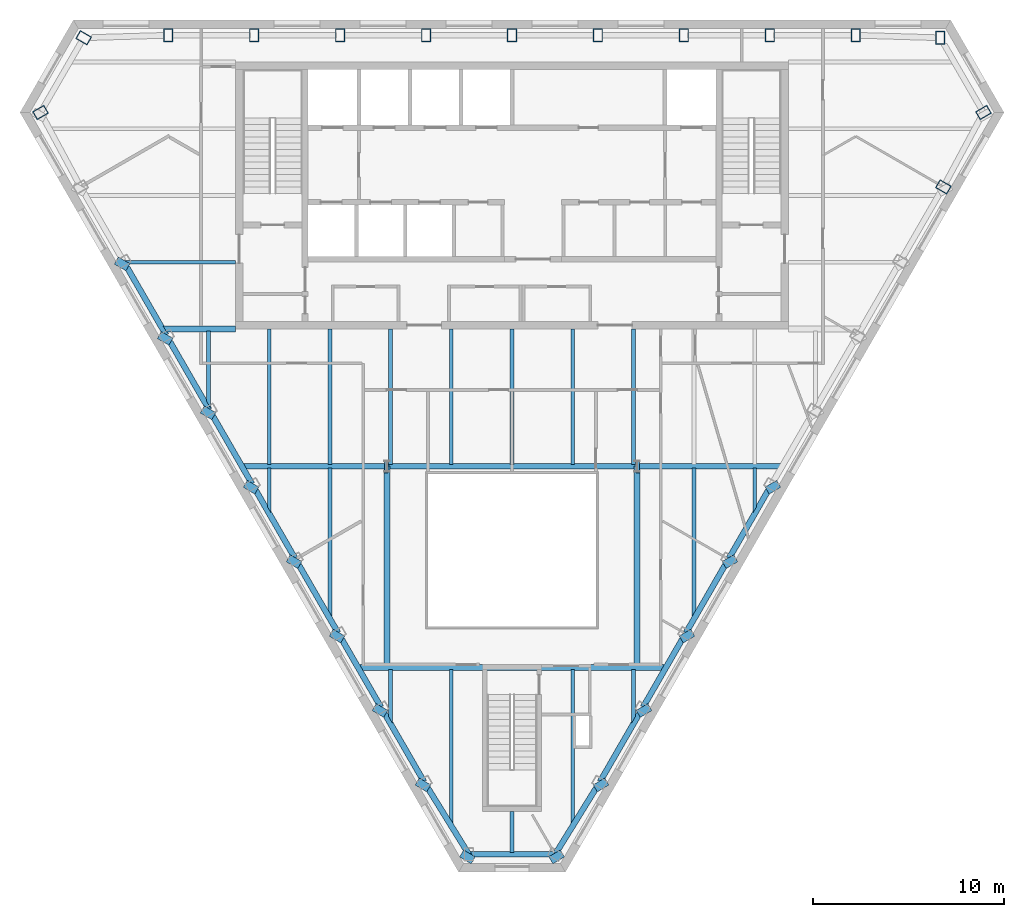
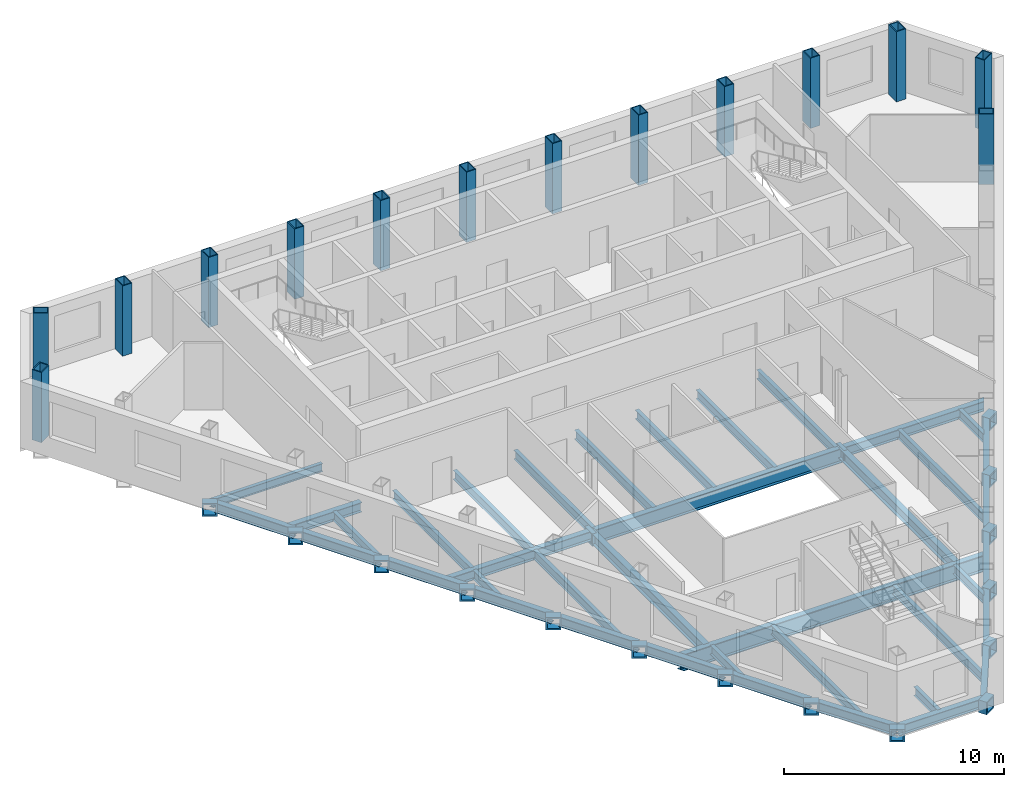
# One storey, part 2 of 10: 56 beams, 14 columns.
"""IFC4 building model written with IfcOpenShell, lengths in metres."""

from ifc_helpers import new_model, si_unit, direction, frame, origin, origin_2d, place, context, subcontext, project, spatial, hollow_rectangle, i_section, extrude, clip, halfspace, material, material_profile, profile_set, type_object, element, save


model = new_model("IFC4")

# Units and contexts
model_context = context("Model", 3, precision=1e-05, world=origin(), true_north=direction((0.0, 1.0)))
body_context = subcontext(model_context, "Body", "Model", "MODEL_VIEW")
ifc_project = project(units=[si_unit("LENGTHUNIT", "METRE"), si_unit("AREAUNIT", "SQUARE_METRE"), si_unit("VOLUMEUNIT", "CUBIC_METRE"), si_unit("PLANEANGLEUNIT", "RADIAN"), si_unit("MASSUNIT", "GRAM", prefix="KILO")], contexts=[model_context])

# Site, building, storey
site_placement = place(None, origin())
site = spatial("IfcSite", under=ifc_project, at=site_placement, CompositionType="ELEMENT")
building_placement = place(site_placement, origin())
building = spatial("IfcBuilding", under=site, at=building_placement, Name="Njiva Tower", CompositionType="ELEMENT")
storey_placement = place(building_placement, frame((0.0, 0.0, 268.8)))
storey = spatial("IfcBuildingStorey", under=building, at=storey_placement, Name="L61", CompositionType="ELEMENT", Elevation=268.8)

# Columns
ifc_material = material(Name="Steel S355 J2", Category="steel")
ifc_material_profile_1 = material_profile(ifc_material, hollow_rectangle(XDim=0.5, YDim=0.7, WallThickness=0.045, at=origin_2d()), Name="BOX 700x500x45")
ifc_profile_set_1 = profile_set([ifc_material_profile_1], Name="Steel S355 J2")
column_type = type_object("IfcColumnType", Name="C13 Perimeter tube column BOX 700x500x45", PredefinedType="COLUMN", material=ifc_profile_set_1)
for number, where, z_axis, x_axis, name in (
    (1, (22.461, 19.267, 0.0), (0.0, 0.0, 1.0), (-1.0, 0.0, 0.0), "Perimeter tube column S20-C01"),
    (2, (18.03, 19.4, 0.0), (0.0, 0.0, 1.0), (-1.0, 0.0, 0.0), "Perimeter tube column S20-C02"),
    (3, (13.523, 19.4, 0.0), (0.0, 0.0, 1.0), (-1.0, 0.0, 0.0), "Perimeter tube column S20-C03"),
    (4, (9.015, 19.4, 0.0), (0.0, 0.0, 1.0), (-1.0, 0.0, 0.0), "Perimeter tube column S20-C04"),
    (5, (4.508, 19.4, 0.0), (0.0, 0.0, 1.0), (-1.0, 0.0, 0.0), "Perimeter tube column S20-C05"),
    (6, (0.0, 19.4, 0.0), (0.0, 0.0, 1.0), (-1.0, 0.0, 0.0), "Perimeter tube column S20-C06"),
    (7, (-4.508, 19.4, 0.0), (0.0, 0.0, 1.0), (-1.0, 0.0, 0.0), "Perimeter tube column S20-C07"),
    (8, (-9.015, 19.4, 0.0), (0.0, 0.0, 1.0), (-1.0, 0.0, 0.0), "Perimeter tube column S20-C08"),
    (9, (-13.523, 19.4, 0.0), (0.0, 0.0, 1.0), (-1.0, 0.0, 0.0), "Perimeter tube column S20-C09"),
    (10, (-18.03, 19.4, 0.0), (0.0, 0.0, 1.0), (-1.0, 0.0, 0.0), "Perimeter tube column S20-C10"),
    (11, (-22.461, 19.267, 0.0), (0.0, 0.0, 1.0), (-0.5, -0.866025403784, 0.0), "Perimeter tube column S20-C11"),
    (12, (-24.723, 15.35, 0.0), (0.0, 0.0, 1.0), (0.5, -0.866025403784, 0.0), "Perimeter tube column S20-C12"),
    (13, (22.622, 11.447, 0.0), (0.0, 0.0, 1.0), (0.5, 0.866025403784, 0.0), "Perimeter tube column S20-C32"),
    (14, (24.723, 15.35, 0.0), (0.0, 0.0, 1.0), (-0.5, 0.866025403784, 0.0), "Perimeter tube column S20-C33"),
):
    element("IfcColumn", number, at=place(storey_placement, frame(where, z_axis=z_axis, x_axis=x_axis)), inside=storey, type_object=column_type, Name=name, PredefinedType="COLUMN", context=body_context, shape_type="SweptSolid", body=[
        extrude(hollow_rectangle(XDim=0.5, YDim=0.7, WallThickness=0.045, at=origin_2d()), origin(), (0.0, 0.0, 1.0), 3.9),
    ])

# Beams
ifc_material_profile_2 = material_profile(ifc_material, hollow_rectangle(XDim=0.7, YDim=0.7, WallThickness=0.08, at=origin_2d()), Name="BOX 700x700x80")
ifc_profile_set_2 = profile_set([ifc_material_profile_2], Name="Steel S355 J2")
beam_type_1 = type_object("IfcBeamType", Name="B19 Column jog beam BOX 700x700x80", PredefinedType="BEAM", material=ifc_profile_set_2)
beam_1_placement = place(storey_placement, frame((-20.55, 7.224, -0.55), z_axis=(0.49437165503, 0.869250635147, 0.0), x_axis=(-0.869250635147, 0.49437165503, 0.0)))
element("IfcBeam", 15, at=beam_1_placement, inside=storey, type_object=beam_type_1, Name="Column jog beam S20-B017", PredefinedType="BEAM", context=body_context, shape_type="SweptSolid", body=[
    extrude(hollow_rectangle(XDim=0.7, YDim=0.7, WallThickness=0.08, at=origin_2d()), origin(), (0.0, 0.0, 1.0), 0.4268),
])
beam_2_placement = place(storey_placement, frame((-18.296, 3.321, -0.55), z_axis=(0.495380237546, 0.868676245933, 0.0), x_axis=(-0.868676245933, 0.495380237546, 0.0)))
element("IfcBeam", 16, at=beam_2_placement, inside=storey, type_object=beam_type_1, Name="Column jog beam S20-B018", PredefinedType="BEAM", context=body_context, shape_type="SweptSolid", body=[
    extrude(hollow_rectangle(XDim=0.7, YDim=0.7, WallThickness=0.08, at=origin_2d()), origin(), (0.0, 0.0, 1.0), 0.4259),
])
beam_3_placement = place(storey_placement, frame((-16.043, -0.582, -0.55), z_axis=(0.498162050838, 0.867083946977, 0.0), x_axis=(-0.867083946977, 0.498162050838, 0.0)))
element("IfcBeam", 17, at=beam_3_placement, inside=storey, type_object=beam_type_1, Name="Column jog beam S20-B019", PredefinedType="BEAM", context=body_context, shape_type="SweptSolid", body=[
    extrude(hollow_rectangle(XDim=0.7, YDim=0.7, WallThickness=0.08, at=origin_2d()), origin(), (0.0, 0.0, 1.0), 0.4256),
])
beam_4_placement = place(storey_placement, frame((-13.79, -4.484, -0.55), z_axis=(0.500943559977, 0.865479953388, 0.0), x_axis=(-0.865479953388, 0.500943559977, 0.0)))
element("IfcBeam", 18, at=beam_4_placement, inside=storey, type_object=beam_type_1, Name="Column jog beam S20-B020", PredefinedType="BEAM", context=body_context, shape_type="SweptSolid", body=[
    extrude(hollow_rectangle(XDim=0.7, YDim=0.7, WallThickness=0.08, at=origin_2d()), origin(), (0.0, 0.0, 1.0), 0.4252),
])
beam_5_placement = place(storey_placement, frame((-11.536, -8.387, -0.55), z_axis=(0.501964949025, 0.864887963814, 0.0), x_axis=(-0.864887963814, 0.501964949025, 0.0)))
element("IfcBeam", 19, at=beam_5_placement, inside=storey, type_object=beam_type_1, Name="Column jog beam S20-B021", PredefinedType="BEAM", context=body_context, shape_type="SweptSolid", body=[
    extrude(hollow_rectangle(XDim=0.7, YDim=0.7, WallThickness=0.08, at=origin_2d()), origin(), (0.0, 0.0, 1.0), 0.4243),
])
beam_6_placement = place(storey_placement, frame((-9.283, -12.29, -0.55), z_axis=(0.502989806353, 0.86429234331, 0.0), x_axis=(-0.86429234331, 0.502989806353, 0.0)))
element("IfcBeam", 20, at=beam_6_placement, inside=storey, type_object=beam_type_1, Name="Column jog beam S20-B022", PredefinedType="BEAM", context=body_context, shape_type="SweptSolid", body=[
    extrude(hollow_rectangle(XDim=0.7, YDim=0.7, WallThickness=0.08, at=origin_2d()), origin(), (0.0, 0.0, 1.0), 0.4235),
])
beam_7_placement = place(storey_placement, frame((-7.03, -16.193, -0.55), z_axis=(0.504750674229, 0.863265171813, 0.0), x_axis=(-0.863265171813, 0.504750674229, 0.0)))
element("IfcBeam", 21, at=beam_7_placement, inside=storey, type_object=beam_type_1, Name="Column jog beam S20-B023", PredefinedType="BEAM", context=body_context, shape_type="SweptSolid", body=[
    extrude(hollow_rectangle(XDim=0.7, YDim=0.7, WallThickness=0.08, at=origin_2d()), origin(), (0.0, 0.0, 1.0), 0.424),
])
beam_8_placement = place(storey_placement, frame((-4.776, -20.096, -0.55), z_axis=(0.505780153596, 0.862662411508, 0.0), x_axis=(-0.862662411508, 0.505780153596, 0.0)))
element("IfcBeam", 22, at=beam_8_placement, inside=storey, type_object=beam_type_1, Name="Column jog beam S20-B025", PredefinedType="BEAM", context=body_context, shape_type="SweptSolid", body=[
    extrude(hollow_rectangle(XDim=0.7, YDim=0.7, WallThickness=0.08, at=origin_2d()), origin(), (0.0, 0.0, 1.0), 0.4231),
])
for number, where, z_axis, x_axis, name in (
    (23, (-2.447, -23.866, -0.55), (0.512064542317, 0.858946974209, 0.0), (-0.858946974209, 0.512064542317, 0.0), "Column jog beam S20-B026"),
    (24, (2.447, -23.866, -0.55), (-0.512064542317, 0.858946974209, 0.0), (-0.858946974209, -0.512064542317, 0.0), "Column jog beam S20-B027"),
):
    element("IfcBeam", number, at=place(storey_placement, frame(where, z_axis=z_axis, x_axis=x_axis)), inside=storey, type_object=beam_type_1, Name=name, PredefinedType="BEAM", context=body_context, shape_type="SweptSolid", body=[
        extrude(hollow_rectangle(XDim=0.7, YDim=0.7, WallThickness=0.08, at=origin_2d()), origin(), (0.0, 0.0, 1.0), 0.4238),
    ])
beam_9_placement = place(storey_placement, frame((4.776, -20.096, -0.55), z_axis=(-0.505780153596, 0.862662411508, 0.0), x_axis=(-0.862662411508, -0.505780153596, 0.0)))
element("IfcBeam", 25, at=beam_9_placement, inside=storey, type_object=beam_type_1, Name="Column jog beam S20-B028", PredefinedType="BEAM", context=body_context, shape_type="SweptSolid", body=[
    extrude(hollow_rectangle(XDim=0.7, YDim=0.7, WallThickness=0.08, at=origin_2d()), origin(), (0.0, 0.0, 1.0), 0.4231),
])
beam_10_placement = place(storey_placement, frame((7.03, -16.193, -0.55), z_axis=(-0.504750674229, 0.863265171813, 0.0), x_axis=(-0.863265171813, -0.504750674229, 0.0)))
element("IfcBeam", 26, at=beam_10_placement, inside=storey, type_object=beam_type_1, Name="Column jog beam S20-B030", PredefinedType="BEAM", context=body_context, shape_type="SweptSolid", body=[
    extrude(hollow_rectangle(XDim=0.7, YDim=0.7, WallThickness=0.08, at=origin_2d()), origin(), (0.0, 0.0, 1.0), 0.424),
])
beam_11_placement = place(storey_placement, frame((9.283, -12.29, -0.55), z_axis=(-0.502989806353, 0.86429234331, 0.0), x_axis=(-0.86429234331, -0.502989806353, 0.0)))
element("IfcBeam", 27, at=beam_11_placement, inside=storey, type_object=beam_type_1, Name="Column jog beam S20-B031", PredefinedType="BEAM", context=body_context, shape_type="SweptSolid", body=[
    extrude(hollow_rectangle(XDim=0.7, YDim=0.7, WallThickness=0.08, at=origin_2d()), origin(), (0.0, 0.0, 1.0), 0.4235),
])
beam_12_placement = place(storey_placement, frame((11.536, -8.387, -0.55), z_axis=(-0.501964949025, 0.864887963814, 0.0), x_axis=(-0.864887963814, -0.501964949025, 0.0)))
element("IfcBeam", 28, at=beam_12_placement, inside=storey, type_object=beam_type_1, Name="Column jog beam S20-B032", PredefinedType="BEAM", context=body_context, shape_type="SweptSolid", body=[
    extrude(hollow_rectangle(XDim=0.7, YDim=0.7, WallThickness=0.08, at=origin_2d()), origin(), (0.0, 0.0, 1.0), 0.4243),
])
beam_13_placement = place(storey_placement, frame((13.79, -4.484, -0.55), z_axis=(-0.500943559977, 0.865479953388, 0.0), x_axis=(-0.865479953388, -0.500943559977, 0.0)))
element("IfcBeam", 29, at=beam_13_placement, inside=storey, type_object=beam_type_1, Name="Column jog beam S20-B033", PredefinedType="BEAM", context=body_context, shape_type="SweptSolid", body=[
    extrude(hollow_rectangle(XDim=0.7, YDim=0.7, WallThickness=0.08, at=origin_2d()), origin(), (0.0, 0.0, 1.0), 0.4252),
])
for number, where, z_axis, x_axis, name in (
    (30, (6.69, -3.2, -0.55), (-1.0, 0.0, 0.0), (0.0, -1.0, 0.0), "Column jog beam S20-B029"),
    (31, (-6.69, -3.2, -0.55), (1.0, 0.0, 0.0), (0.0, 1.0, 0.0), "Column jog beam S20-B024"),
):
    element("IfcBeam", number, at=place(storey_placement, frame(where, z_axis=z_axis, x_axis=x_axis)), inside=storey, type_object=beam_type_1, Name=name, PredefinedType="BEAM", context=body_context, shape_type="SweptSolid", body=[
        extrude(hollow_rectangle(XDim=0.7, YDim=0.7, WallThickness=0.08, at=origin_2d()), origin(), (0.0, 0.0, 1.0), 0.2),
    ])
ifc_material_profile_3 = material_profile(ifc_material, i_section(OverallWidth=0.3, OverallDepth=0.59, WebThickness=0.013, FlangeThickness=0.025, at=origin_2d()), Name="HEA 600")
ifc_profile_set_3 = profile_set([ifc_material_profile_3], Name="Steel S355 J2")
beam_type_2 = type_object("IfcBeamType", Name="B30 Long-span atrium trimmer beam HEA 600", PredefinedType="BEAM", material=ifc_profile_set_3)
for number, where, z_axis, x_axis, name in (
    (32, (6.55, -13.649, -0.495), (0.0, 1.0, 0.0), (-1.0, 0.0, 0.0), "Long-span atrium trimmer beam S20-B068"),
    (33, (-6.55, -3.2, -0.495), (0.0, -1.0, 0.0), (1.0, 0.0, 0.0), "Long-span atrium trimmer beam S20-B065"),
):
    element("IfcBeam", number, at=place(storey_placement, frame(where, z_axis=z_axis, x_axis=x_axis)), inside=storey, type_object=beam_type_2, Name=name, PredefinedType="BEAM", context=body_context, shape_type="SweptSolid", body=[
        extrude(i_section(OverallWidth=0.3, OverallDepth=0.59, WebThickness=0.013, FlangeThickness=0.025, at=origin_2d()), origin(), (0.0, 0.0, 1.0), 10.449),
    ])
ifc_material_profile_4 = material_profile(ifc_material, i_section(OverallWidth=0.19, OverallDepth=0.45, WebThickness=0.0094, FlangeThickness=0.0146, at=origin_2d()), Name="IPE 450")
ifc_profile_set_4 = profile_set([ifc_material_profile_4], Name="Steel S355 J2")
beam_type_3 = type_object("IfcBeamType", Name="B37 Floor beam to the core IPE 450", PredefinedType="BEAM", material=ifc_profile_set_4)
beam_14_placement = place(storey_placement, frame((-20.378, 7.5, -0.425), z_axis=(1.0, 0.0, 0.0), x_axis=(0.0, 1.0, 0.0)))
element("IfcBeam", 34, at=beam_14_placement, inside=storey, type_object=beam_type_3, Name="Floor beam to the core S20-B004", PredefinedType="BEAM", context=body_context, shape_type="Clipping", body=[
    clip(extrude(i_section(OverallWidth=0.19, OverallDepth=0.45, WebThickness=0.0094, FlangeThickness=0.0146, at=origin_2d()), origin(), (0.0, 0.0, 1.0), 5.878), halfspace(frame((-0.025, 0.0, 0.0895), z_axis=(-0.499998009787, 0.0, -0.866026552831), x_axis=(0.0, -1.0, 0.0)), False)),
])
ifc_material_profile_5 = material_profile(ifc_material, i_section(OverallWidth=0.3, OverallDepth=0.54, WebThickness=0.0125, FlangeThickness=0.024, at=origin_2d()), Name="HEA 550")
ifc_profile_set_5 = profile_set([ifc_material_profile_5], Name="Steel S355 J2")
beam_type_4 = type_object("IfcBeamType", Name="B39 Short-span spandrel beam HEA 550", PredefinedType="SPANDREL", material=ifc_profile_set_5)
beam_15_placement = place(storey_placement, frame((-20.191, 7.235, -0.47), z_axis=(0.500066662559, -0.865986912717, 0.0), x_axis=(0.865986912717, 0.500066662559, 0.0)))
element("IfcBeam", 35, at=beam_15_placement, inside=storey, type_object=beam_type_4, Name="Short-span spandrel beam S20-B078", PredefinedType="SPANDREL", context=body_context, shape_type="SweptSolid", body=[
    extrude(i_section(OverallWidth=0.3, OverallDepth=0.54, WebThickness=0.0125, FlangeThickness=0.024, at=origin_2d()), origin(), (0.0, 0.0, 1.0), 4.1075),
])
beam_16_placement = place(storey_placement, frame((-17.937, 3.332, -0.47), z_axis=(0.49988405051, -0.866092336905, 0.0), x_axis=(0.866092336905, 0.49988405051, 0.0)))
element("IfcBeam", 36, at=beam_16_placement, inside=storey, type_object=beam_type_4, Name="Short-span spandrel beam S20-B080", PredefinedType="SPANDREL", context=body_context, shape_type="SweptSolid", body=[
    extrude(i_section(OverallWidth=0.3, OverallDepth=0.54, WebThickness=0.0125, FlangeThickness=0.024, at=origin_2d()), origin(), (0.0, 0.0, 1.0), 4.107),
])
beam_17_placement = place(storey_placement, frame((-15.684, -0.571, -0.47), z_axis=(0.499989486807, -0.866031473494, 0.0), x_axis=(0.866031473494, 0.499989486807, 0.0)))
element("IfcBeam", 37, at=beam_17_placement, inside=storey, type_object=beam_type_4, Name="Short-span spandrel beam S20-B083", PredefinedType="SPANDREL", context=body_context, shape_type="SweptSolid", body=[
    extrude(i_section(OverallWidth=0.3, OverallDepth=0.54, WebThickness=0.0125, FlangeThickness=0.024, at=origin_2d()), origin(), (0.0, 0.0, 1.0), 4.1061),
])
beam_18_placement = place(storey_placement, frame((-13.431, -4.473, -0.47), z_axis=(0.49988405051, -0.866092336905, 0.0), x_axis=(0.866092336905, 0.49988405051, 0.0)))
element("IfcBeam", 38, at=beam_18_placement, inside=storey, type_object=beam_type_4, Name="Short-span spandrel beam S20-B085", PredefinedType="SPANDREL", context=body_context, shape_type="SweptSolid", body=[
    extrude(i_section(OverallWidth=0.3, OverallDepth=0.54, WebThickness=0.0125, FlangeThickness=0.024, at=origin_2d()), origin(), (0.0, 0.0, 1.0), 4.107),
])
beam_19_placement = place(storey_placement, frame((-11.178, -8.376, -0.47), z_axis=(0.500066662559, -0.865986912717, 0.0), x_axis=(0.865986912717, 0.500066662559, 0.0)))
element("IfcBeam", 39, at=beam_19_placement, inside=storey, type_object=beam_type_4, Name="Short-span spandrel beam S20-B088", PredefinedType="SPANDREL", context=body_context, shape_type="SweptSolid", body=[
    extrude(i_section(OverallWidth=0.3, OverallDepth=0.54, WebThickness=0.0125, FlangeThickness=0.024, at=origin_2d()), origin(), (0.0, 0.0, 1.0), 4.1075),
])
beam_20_placement = place(storey_placement, frame((-8.924, -12.279, -0.47), z_axis=(0.49988405051, -0.866092336905, 0.0), x_axis=(0.866092336905, 0.49988405051, 0.0)))
element("IfcBeam", 40, at=beam_20_placement, inside=storey, type_object=beam_type_4, Name="Short-span spandrel beam S20-B090", PredefinedType="SPANDREL", context=body_context, shape_type="SweptSolid", body=[
    extrude(i_section(OverallWidth=0.3, OverallDepth=0.54, WebThickness=0.0125, FlangeThickness=0.024, at=origin_2d()), origin(), (0.0, 0.0, 1.0), 4.107),
])
beam_21_placement = place(storey_placement, frame((-6.671, -16.182, -0.47), z_axis=(0.500066662559, -0.865986912717, 0.0), x_axis=(0.865986912717, 0.500066662559, 0.0)))
element("IfcBeam", 41, at=beam_21_placement, inside=storey, type_object=beam_type_4, Name="Short-span spandrel beam S20-B094", PredefinedType="SPANDREL", context=body_context, shape_type="SweptSolid", body=[
    extrude(i_section(OverallWidth=0.3, OverallDepth=0.54, WebThickness=0.0125, FlangeThickness=0.024, at=origin_2d()), origin(), (0.0, 0.0, 1.0), 4.1075),
])
beam_22_placement = place(storey_placement, frame((-4.408, -20.081, -0.47), z_axis=(0.525782983641, -0.850618747803, 0.0), x_axis=(0.850618747803, 0.525782983641, 0.0)))
element("IfcBeam", 42, at=beam_22_placement, inside=storey, type_object=beam_type_4, Name="Short-span spandrel beam S20-B096", PredefinedType="SPANDREL", context=body_context, shape_type="Clipping", body=[
    clip(extrude(i_section(OverallWidth=0.3, OverallDepth=0.54, WebThickness=0.0125, FlangeThickness=0.024, at=origin_2d()), origin(), (0.0, 0.0, 1.0), 4.1489), halfspace(frame((-0.0262, 0.0, 4.0197), z_axis=(-0.525782983641, 0.0, 0.850618747803), x_axis=(0.0, 1.0, 0.0)), False)),
])
beam_23_placement = place(storey_placement, frame((-2.216, -23.554, -0.47), z_axis=(1.0, 0.0, 0.0), x_axis=(0.0, 1.0, 0.0)))
element("IfcBeam", 43, at=beam_23_placement, inside=storey, type_object=beam_type_4, Name="Short-span spandrel beam S20-B098", PredefinedType="SPANDREL", context=body_context, shape_type="Clipping", body=[
    clip(extrude(i_section(OverallWidth=0.3, OverallDepth=0.54, WebThickness=0.0125, FlangeThickness=0.024, at=origin_2d()), origin(), (0.0, 0.0, 1.0), 4.543), halfspace(frame((-0.0248, 0.0, 4.4214), z_axis=(-0.499998009787, 0.0, 0.866026552831), x_axis=(0.0, 1.0, 0.0)), False)),
])
beam_24_placement = place(storey_placement, frame((2.291, -23.506, -0.47), z_axis=(0.525773090437, 0.850624862894, 0.0), x_axis=(-0.850624862894, 0.525773090437, 0.0)))
element("IfcBeam", 44, at=beam_24_placement, inside=storey, type_object=beam_type_4, Name="Short-span spandrel beam S20-B101", PredefinedType="SPANDREL", context=body_context, shape_type="SweptSolid", body=[
    extrude(i_section(OverallWidth=0.3, OverallDepth=0.54, WebThickness=0.0125, FlangeThickness=0.024, at=origin_2d()), origin(), (0.0, 0.0, 1.0), 4.0265),
])
beam_25_placement = place(storey_placement, frame((4.617, -19.739, -0.47), z_axis=(0.500066662559, 0.865986912717, 0.0), x_axis=(-0.865986912717, 0.500066662559, 0.0)))
element("IfcBeam", 45, at=beam_25_placement, inside=storey, type_object=beam_type_4, Name="Short-span spandrel beam S20-B103", PredefinedType="SPANDREL", context=body_context, shape_type="SweptSolid", body=[
    extrude(i_section(OverallWidth=0.3, OverallDepth=0.54, WebThickness=0.0125, FlangeThickness=0.024, at=origin_2d()), origin(), (0.0, 0.0, 1.0), 4.1075),
])
beam_26_placement = place(storey_placement, frame((6.871, -15.836, -0.47), z_axis=(0.49988405051, 0.866092336905, 0.0), x_axis=(-0.866092336905, 0.49988405051, 0.0)))
element("IfcBeam", 46, at=beam_26_placement, inside=storey, type_object=beam_type_4, Name="Short-span spandrel beam S20-B107", PredefinedType="SPANDREL", context=body_context, shape_type="SweptSolid", body=[
    extrude(i_section(OverallWidth=0.3, OverallDepth=0.54, WebThickness=0.0125, FlangeThickness=0.024, at=origin_2d()), origin(), (0.0, 0.0, 1.0), 4.107),
])
beam_27_placement = place(storey_placement, frame((9.124, -11.933, -0.47), z_axis=(0.500066662559, 0.865986912717, 0.0), x_axis=(-0.865986912717, 0.500066662559, 0.0)))
element("IfcBeam", 47, at=beam_27_placement, inside=storey, type_object=beam_type_4, Name="Short-span spandrel beam S20-B109", PredefinedType="SPANDREL", context=body_context, shape_type="SweptSolid", body=[
    extrude(i_section(OverallWidth=0.3, OverallDepth=0.54, WebThickness=0.0125, FlangeThickness=0.024, at=origin_2d()), origin(), (0.0, 0.0, 1.0), 4.1075),
])
beam_28_placement = place(storey_placement, frame((11.378, -8.03, -0.47), z_axis=(0.49988405051, 0.866092336905, 0.0), x_axis=(-0.866092336905, 0.49988405051, 0.0)))
element("IfcBeam", 48, at=beam_28_placement, inside=storey, type_object=beam_type_4, Name="Short-span spandrel beam S20-B112", PredefinedType="SPANDREL", context=body_context, shape_type="SweptSolid", body=[
    extrude(i_section(OverallWidth=0.3, OverallDepth=0.54, WebThickness=0.0125, FlangeThickness=0.024, at=origin_2d()), origin(), (0.0, 0.0, 1.0), 4.107),
])
ifc_material_profile_6 = material_profile(ifc_material, i_section(OverallWidth=0.3, OverallDepth=0.54, WebThickness=0.0125, FlangeThickness=0.024, at=origin_2d()), Name="HEA 550")
ifc_profile_set_6 = profile_set([ifc_material_profile_6], Name="Steel S355 J2")
beam_type_5 = type_object("IfcBeamType", Name="B40 Floor girder HEA 550", PredefinedType="BEAM", material=ifc_profile_set_6)
beam_29_placement = place(storey_placement, frame((-14.158, -3.2, -0.47), z_axis=(1.0, 0.0, 0.0), x_axis=(0.0, 1.0, 0.0)))
element("IfcBeam", 49, at=beam_29_placement, inside=storey, type_object=beam_type_5, Name="Floor girder S20-B012", PredefinedType="BEAM", context=body_context, shape_type="Clipping", body=[
    clip(extrude(i_section(OverallWidth=0.3, OverallDepth=0.54, WebThickness=0.0125, FlangeThickness=0.024, at=origin_2d()), origin(), (0.0, 0.0, 1.0), 7.608), halfspace(frame((-0.025, 0.0, 0.1217), z_axis=(-0.499998009787, 0.0, -0.866026552831), x_axis=(0.0, -1.0, 0.0)), False)),
])
beam_30_placement = place(storey_placement, frame((6.55, -3.2, -0.47), z_axis=(1.0, 0.0, 0.0), x_axis=(0.0, 1.0, 0.0)))
element("IfcBeam", 50, at=beam_30_placement, inside=storey, type_object=beam_type_5, Name="Floor girder S20-B013", PredefinedType="BEAM", context=body_context, shape_type="Clipping", body=[
    clip(extrude(i_section(OverallWidth=0.3, OverallDepth=0.54, WebThickness=0.0125, FlangeThickness=0.024, at=origin_2d()), origin(), (0.0, 0.0, 1.0), 7.608), halfspace(frame((-0.025, 0.0, 7.4863), z_axis=(-0.499998009787, 0.0, 0.866026552831), x_axis=(0.0, 1.0, 0.0)), False)),
])
ifc_material_profile_7 = material_profile(ifc_material, i_section(OverallWidth=0.3, OverallDepth=0.54, WebThickness=0.0125, FlangeThickness=0.024, at=origin_2d()), Name="HEA 550")
ifc_profile_set_7 = profile_set([ifc_material_profile_7], Name="Steel S355 J2")
beam_type_6 = type_object("IfcBeamType", Name="B41 Short-span floor girder HEA 550", PredefinedType="BEAM", material=ifc_profile_set_7)
beam_31_placement = place(storey_placement, frame((-18.315, 4.0, -0.47), z_axis=(1.0, 0.0, 0.0), x_axis=(0.0, 1.0, 0.0)))
element("IfcBeam", 51, at=beam_31_placement, inside=storey, type_object=beam_type_6, Name="Short-span floor girder S20-B011", PredefinedType="BEAM", context=body_context, shape_type="Clipping", body=[
    clip(extrude(i_section(OverallWidth=0.3, OverallDepth=0.54, WebThickness=0.0125, FlangeThickness=0.024, at=origin_2d()), origin(), (0.0, 0.0, 1.0), 3.815), halfspace(frame((-0.025, 0.0, 0.1217), z_axis=(-0.499998009787, 0.0, -0.866026552831), x_axis=(0.0, -1.0, 0.0)), False)),
])
ifc_material_profile_8 = material_profile(ifc_material, i_section(OverallWidth=0.2, OverallDepth=0.5, WebThickness=0.0102, FlangeThickness=0.016, at=origin_2d()), Name="IPE 500")
ifc_profile_set_8 = profile_set([ifc_material_profile_8], Name="Steel S355 J2")
beam_type_7 = type_object("IfcBeamType", Name="B42 Short-span floor joist IPE 500", PredefinedType="JOIST", material=ifc_profile_set_8)
beam_32_placement = place(storey_placement, frame((-15.917, 3.9, -0.45), z_axis=(0.0, -1.0, 0.0), x_axis=(1.0, 0.0, 0.0)))
element("IfcBeam", 52, at=beam_32_placement, inside=storey, type_object=beam_type_7, Name="Short-span floor joist S20-B040", PredefinedType="JOIST", context=body_context, shape_type="Clipping", body=[
    clip(extrude(i_section(OverallWidth=0.2, OverallDepth=0.5, WebThickness=0.0102, FlangeThickness=0.016, at=origin_2d()), origin(), (0.0, 0.0, 1.0), 4.061), halfspace(frame((-0.043, 0.0, 3.7932), z_axis=(-0.866026552831, 0.0, 0.499998009787), x_axis=(0.0, 1.0, 0.0)), False)),
])
beam_33_placement = place(storey_placement, frame((-12.733, -3.3, -0.45), z_axis=(0.0, -1.0, 0.0), x_axis=(1.0, 0.0, 0.0)))
element("IfcBeam", 53, at=beam_33_placement, inside=storey, type_object=beam_type_7, Name="Short-span floor joist S20-B041", PredefinedType="JOIST", context=body_context, shape_type="Clipping", body=[
    clip(extrude(i_section(OverallWidth=0.2, OverallDepth=0.5, WebThickness=0.0102, FlangeThickness=0.016, at=origin_2d()), origin(), (0.0, 0.0, 1.0), 2.375), halfspace(frame((-0.0436, 0.0, 2.1069), z_axis=(-0.866026552831, 0.0, 0.499998009787), x_axis=(0.0, 1.0, 0.0)), False)),
])
beam_34_placement = place(storey_placement, frame((-6.367, -13.851, -0.45), z_axis=(0.0, -1.0, 0.0), x_axis=(1.0, 0.0, 0.0)))
element("IfcBeam", 54, at=beam_34_placement, inside=storey, type_object=beam_type_7, Name="Short-span floor joist S20-B045", PredefinedType="JOIST", context=body_context, shape_type="Clipping", body=[
    clip(extrude(i_section(OverallWidth=0.2, OverallDepth=0.5, WebThickness=0.0102, FlangeThickness=0.016, at=origin_2d()), origin(), (0.0, 0.0, 1.0), 2.851), halfspace(frame((-0.043, 0.0, 2.5833), z_axis=(-0.866026552831, 0.0, 0.499998009787), x_axis=(0.0, 1.0, 0.0)), False)),
])
beam_35_placement = place(storey_placement, frame((0.0, -21.3, -0.45), z_axis=(0.0, -1.0, 0.0), x_axis=(1.0, 0.0, 0.0)))
element("IfcBeam", 55, at=beam_35_placement, inside=storey, type_object=beam_type_7, Name="Short-span floor joist S20-B050", PredefinedType="JOIST", context=body_context, shape_type="SweptSolid", body=[
    extrude(i_section(OverallWidth=0.2, OverallDepth=0.5, WebThickness=0.0102, FlangeThickness=0.016, at=origin_2d()), origin(), (0.0, 0.0, 1.0), 2.154),
])
beam_36_placement = place(storey_placement, frame((6.367, -13.851, -0.45), z_axis=(0.0, -1.0, 0.0), x_axis=(1.0, 0.0, 0.0)))
element("IfcBeam", 56, at=beam_36_placement, inside=storey, type_object=beam_type_7, Name="Short-span floor joist S20-B054", PredefinedType="JOIST", context=body_context, shape_type="Clipping", body=[
    clip(extrude(i_section(OverallWidth=0.2, OverallDepth=0.5, WebThickness=0.0102, FlangeThickness=0.016, at=origin_2d()), origin(), (0.0, 0.0, 1.0), 2.851), halfspace(frame((0.043, 0.0, 2.5833), z_axis=(0.866026552831, 0.0, 0.499998009787), x_axis=(0.0, 1.0, 0.0)), False)),
])
beam_37_placement = place(storey_placement, frame((12.733, -3.3, -0.45), z_axis=(0.0, -1.0, 0.0), x_axis=(1.0, 0.0, 0.0)))
element("IfcBeam", 57, at=beam_37_placement, inside=storey, type_object=beam_type_7, Name="Short-span floor joist S20-B059", PredefinedType="JOIST", context=body_context, shape_type="Clipping", body=[
    clip(extrude(i_section(OverallWidth=0.2, OverallDepth=0.5, WebThickness=0.0102, FlangeThickness=0.016, at=origin_2d()), origin(), (0.0, 0.0, 1.0), 2.375), halfspace(frame((0.0436, 0.0, 2.1069), z_axis=(0.866026552831, 0.0, 0.499998009787), x_axis=(0.0, 1.0, 0.0)), False)),
])
ifc_material_profile_9 = material_profile(ifc_material, i_section(OverallWidth=0.2, OverallDepth=0.5, WebThickness=0.0102, FlangeThickness=0.016, at=origin_2d()), Name="IPE 500")
ifc_profile_set_9 = profile_set([ifc_material_profile_9], Name="Steel S355 J2")
beam_type_8 = type_object("IfcBeamType", Name="B43 Floor joist IPE 500", PredefinedType="JOIST", material=ifc_profile_set_9)
for number, where, z_axis, x_axis, name in (
    (58, (-12.733, 3.995, -0.45), (0.0, -1.0, 0.0), (1.0, 0.0, 0.0), "Floor joist S20-B042"),
    (59, (-9.55, 3.995, -0.45), (0.0, -1.0, 0.0), (1.0, 0.0, 0.0), "Floor joist S20-B044"),
):
    element("IfcBeam", number, at=place(storey_placement, frame(where, z_axis=z_axis, x_axis=x_axis)), inside=storey, type_object=beam_type_8, Name=name, PredefinedType="JOIST", context=body_context, shape_type="SweptSolid", body=[
        extrude(i_section(OverallWidth=0.2, OverallDepth=0.5, WebThickness=0.0102, FlangeThickness=0.016, at=origin_2d()), origin(), (0.0, 0.0, 1.0), 7.095),
    ])
beam_38_placement = place(storey_placement, frame((-9.55, -3.3, -0.45), z_axis=(0.0, -1.0, 0.0), x_axis=(1.0, 0.0, 0.0)))
element("IfcBeam", 60, at=beam_38_placement, inside=storey, type_object=beam_type_8, Name="Floor joist S20-B043", PredefinedType="JOIST", context=body_context, shape_type="Clipping", body=[
    clip(extrude(i_section(OverallWidth=0.2, OverallDepth=0.5, WebThickness=0.0102, FlangeThickness=0.016, at=origin_2d()), origin(), (0.0, 0.0, 1.0), 7.889), halfspace(frame((-0.0433, 0.0, 7.6206), z_axis=(-0.866026552831, 0.0, 0.499998009787), x_axis=(0.0, 1.0, 0.0)), False)),
])
for number, where, z_axis, x_axis, name in (
    (61, (-6.367, 3.995, -0.45), (0.0, -1.0, 0.0), (1.0, 0.0, 0.0), "Floor joist S20-B046"),
    (62, (-3.183, 3.995, -0.45), (0.0, -1.0, 0.0), (1.0, 0.0, 0.0), "Floor joist S20-B049"),
):
    element("IfcBeam", number, at=place(storey_placement, frame(where, z_axis=z_axis, x_axis=x_axis)), inside=storey, type_object=beam_type_8, Name=name, PredefinedType="JOIST", context=body_context, shape_type="SweptSolid", body=[
        extrude(i_section(OverallWidth=0.2, OverallDepth=0.5, WebThickness=0.0102, FlangeThickness=0.016, at=origin_2d()), origin(), (0.0, 0.0, 1.0), 7.095),
    ])
beam_39_placement = place(storey_placement, frame((-3.183, -13.851, -0.45), z_axis=(0.0, -1.0, 0.0), x_axis=(1.0, 0.0, 0.0)))
element("IfcBeam", 63, at=beam_39_placement, inside=storey, type_object=beam_type_8, Name="Floor joist S20-B048", PredefinedType="JOIST", context=body_context, shape_type="Clipping", body=[
    clip(extrude(i_section(OverallWidth=0.2, OverallDepth=0.5, WebThickness=0.0102, FlangeThickness=0.016, at=origin_2d()), origin(), (0.0, 0.0, 1.0), 8.203), halfspace(frame((-0.0429, 0.0, 7.9521), z_axis=(-0.850620428373, 0.0, 0.525780264783), x_axis=(0.0, 1.0, 0.0)), False)),
])
for number, where, z_axis, x_axis, name in (
    (64, (0.0, 3.995, -0.45), (0.0, -1.0, 0.0), (1.0, 0.0, 0.0), "Floor joist S20-B051"),
    (65, (3.183, 3.995, -0.45), (0.0, -1.0, 0.0), (1.0, 0.0, 0.0), "Floor joist S20-B053"),
):
    element("IfcBeam", number, at=place(storey_placement, frame(where, z_axis=z_axis, x_axis=x_axis)), inside=storey, type_object=beam_type_8, Name=name, PredefinedType="JOIST", context=body_context, shape_type="SweptSolid", body=[
        extrude(i_section(OverallWidth=0.2, OverallDepth=0.5, WebThickness=0.0102, FlangeThickness=0.016, at=origin_2d()), origin(), (0.0, 0.0, 1.0), 7.095),
    ])
beam_40_placement = place(storey_placement, frame((3.183, -13.851, -0.45), z_axis=(0.0, -1.0, 0.0), x_axis=(1.0, 0.0, 0.0)))
element("IfcBeam", 66, at=beam_40_placement, inside=storey, type_object=beam_type_8, Name="Floor joist S20-B052", PredefinedType="JOIST", context=body_context, shape_type="Clipping", body=[
    clip(extrude(i_section(OverallWidth=0.2, OverallDepth=0.5, WebThickness=0.0102, FlangeThickness=0.016, at=origin_2d()), origin(), (0.0, 0.0, 1.0), 8.203), halfspace(frame((0.0429, 0.0, 7.9521), z_axis=(0.850620428373, 0.0, 0.525780264783), x_axis=(0.0, 1.0, 0.0)), False)),
])
beam_41_placement = place(storey_placement, frame((6.367, 3.995, -0.45), z_axis=(0.0, -1.0, 0.0), x_axis=(1.0, 0.0, 0.0)))
element("IfcBeam", 67, at=beam_41_placement, inside=storey, type_object=beam_type_8, Name="Floor joist S20-B055", PredefinedType="JOIST", context=body_context, shape_type="SweptSolid", body=[
    extrude(i_section(OverallWidth=0.2, OverallDepth=0.5, WebThickness=0.0102, FlangeThickness=0.016, at=origin_2d()), origin(), (0.0, 0.0, 1.0), 7.095),
])
beam_42_placement = place(storey_placement, frame((9.55, -3.3, -0.45), z_axis=(0.0, -1.0, 0.0), x_axis=(1.0, 0.0, 0.0)))
element("IfcBeam", 68, at=beam_42_placement, inside=storey, type_object=beam_type_8, Name="Floor joist S20-B057", PredefinedType="JOIST", context=body_context, shape_type="Clipping", body=[
    clip(extrude(i_section(OverallWidth=0.2, OverallDepth=0.5, WebThickness=0.0102, FlangeThickness=0.016, at=origin_2d()), origin(), (0.0, 0.0, 1.0), 7.889), halfspace(frame((0.0433, 0.0, 7.6206), z_axis=(0.866026552831, 0.0, 0.499998009787), x_axis=(0.0, 1.0, 0.0)), False)),
])
ifc_material_profile_10 = material_profile(ifc_material, i_section(OverallWidth=0.302, OverallDepth=0.91, WebThickness=0.021, FlangeThickness=0.04, at=origin_2d()), Name="HEM 900")
ifc_profile_set_10 = profile_set([ifc_material_profile_10], Name="Steel S355 J2")
beam_type_9 = type_object("IfcBeamType", Name="B8 Long-span atrium trimmer beam HEM 900", PredefinedType="BEAM", material=ifc_profile_set_10)
beam_43_placement = place(storey_placement, frame((-8.067, -13.75, -0.655), z_axis=(1.0, 0.0, 0.0), x_axis=(0.0, 1.0, 0.0)))
element("IfcBeam", 69, at=beam_43_placement, inside=storey, type_object=beam_type_9, Name="Long-span atrium trimmer beam S20-B063", PredefinedType="BEAM", context=body_context, shape_type="Clipping", body=[
    clip(clip(extrude(i_section(OverallWidth=0.302, OverallDepth=0.91, WebThickness=0.021, FlangeThickness=0.04, at=origin_2d()), origin(), (0.0, 0.0, 1.0), 16.134), halfspace(frame((-0.025, 0.0, 0.1217), z_axis=(-0.499998009787, 0.0, -0.866026552831), x_axis=(0.0, -1.0, 0.0)), False)), halfspace(frame((-0.025, 0.0, 16.0123), z_axis=(-0.499998009787, 0.0, 0.866026552831), x_axis=(0.0, 1.0, 0.0)), False)),
])
ifc_material_profile_11 = material_profile(ifc_material, i_section(OverallWidth=0.3, OverallDepth=0.79, WebThickness=0.015, FlangeThickness=0.028, at=origin_2d()), Name="HEA 800")
ifc_profile_set_11 = profile_set([ifc_material_profile_11], Name="Steel S355 J2")
beam_type_10 = type_object("IfcBeamType", Name="B9 Long-span atrium trimmer beam HEA 800", PredefinedType="BEAM", material=ifc_profile_set_11)
beam_44_placement = place(storey_placement, frame((6.55, -3.2, -0.595), z_axis=(-1.0, 0.0, 0.0), x_axis=(0.0, -1.0, 0.0)))
element("IfcBeam", 70, at=beam_44_placement, inside=storey, type_object=beam_type_10, Name="Long-span atrium trimmer beam S20-B066", PredefinedType="BEAM", context=body_context, shape_type="SweptSolid", body=[
    extrude(i_section(OverallWidth=0.3, OverallDepth=0.79, WebThickness=0.015, FlangeThickness=0.028, at=origin_2d()), origin(), (0.0, 0.0, 1.0), 13.1),
])

save(model, "model.ifc")
